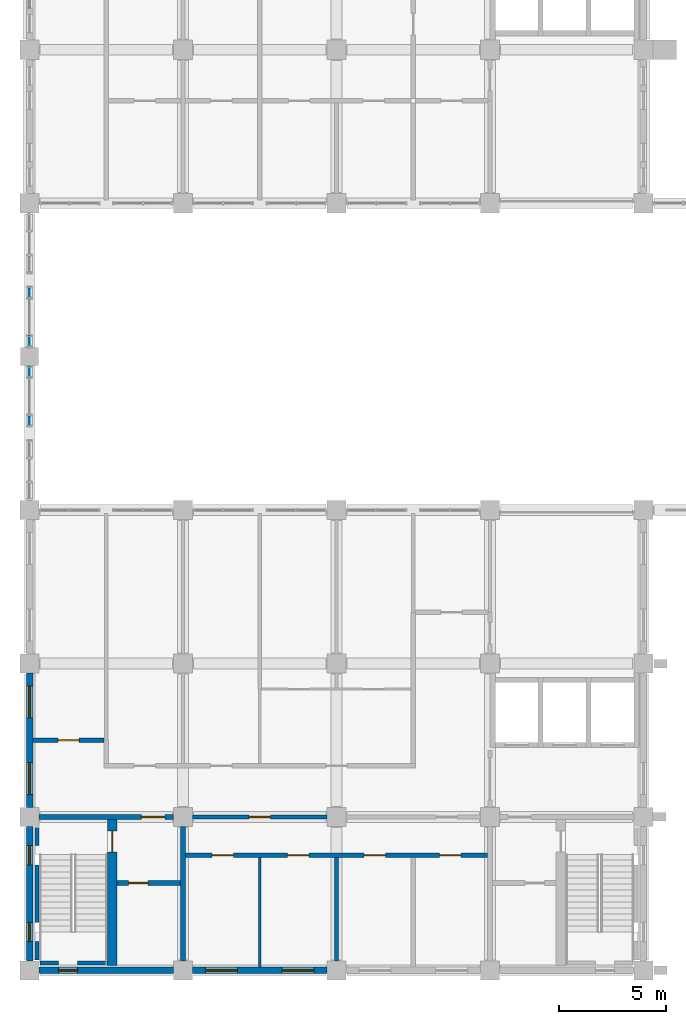
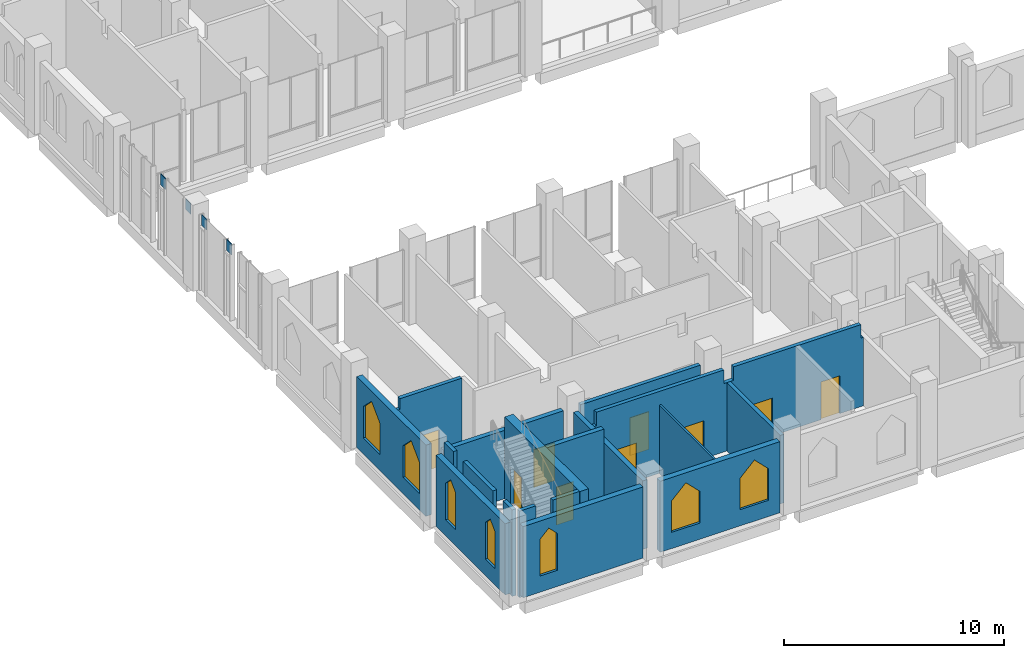
# One storey, part 27 of 40: 18 walls, 9 doors, 7 windows, 4 plates, 16 openings, 2 elements without a shape of their own.
"""IFC4 building model written with IfcOpenShell, lengths in metres."""

from ifc_helpers import new_model, si_unit, direction, frame, frame_2d, origin, origin_2d, place, context, subcontext, project, spatial, polyline, rectangle, outline, extrude, material, layer, layer_set, type_object, element, fill, aggregate, save


model = new_model("IFC4")

# Units and contexts
model_context = context("Model", 3, precision=1e-05, world=origin(), true_north=direction((0.0, 1.0)))
body_context = subcontext(model_context, "Body", "Model", "MODEL_VIEW")
ifc_project = project(units=[si_unit("LENGTHUNIT", "METRE"), si_unit("AREAUNIT", "SQUARE_METRE"), si_unit("VOLUMEUNIT", "CUBIC_METRE"), si_unit("PLANEANGLEUNIT", "RADIAN"), si_unit("MASSUNIT", "GRAM", prefix="KILO")], contexts=[model_context])

# Site, building, storey
site_placement = place(None, origin())
site = spatial("IfcSite", under=ifc_project, at=site_placement, CompositionType="ELEMENT")
building_placement = place(site_placement, origin())
building = spatial("IfcBuilding", under=site, at=building_placement, Name="Silangan Lancet Faculty of Sciences", CompositionType="ELEMENT")
storey_placement = place(building_placement, frame((0.0, 0.0, 16.800048828125)))
storey = spatial("IfcBuildingStorey", under=building, at=storey_placement, Name="L03", CompositionType="ELEMENT", Elevation=16.800048828125)

# Curtain wall, plates
ifc_material_1 = material(Name="Aluminium framed curtain wall with insulated glass", Category="aluminium")
curtain_wall_type = type_object("IfcCurtainWallType", Name="CW6 West window middle bays", PredefinedType="NOTDEFINED", material=ifc_material_1)
curtain_wall_1_placement = place(storey_placement, origin())
curtain_wall_1 = element("IfcCurtainWall", 1, at=curtain_wall_1_placement, inside=storey, type_object=curtain_wall_type, Name="CW6 West window L03 bay 2", PredefinedType="NOTDEFINED")
ifc_material_2 = material(Name="Insulated glass unit 8+16+8 low-emissivity", Category="glass")
ifc_layer_1 = layer(ifc_material_2, 0.031982421875)
ifc_layer_set_1 = layer_set([ifc_layer_1], Name="Insulated glass unit 8+16+8 low-emissivity")
plate_type = type_object("IfcPlateType", Name="CP1 Panel vision glass 32", PredefinedType="CURTAIN_PANEL", material=ifc_layer_set_1)
plate_1_placement = place(storey_placement, frame((0.0, 25.800048828125, 3.599853515625), z_axis=(0.0, 0.0, 1.0), x_axis=(0.0, 1.0, 0.0)))
plate_1 = element("IfcPlate", 2, at=plate_1_placement, type_object=plate_type, Name="CW6 West window L03 bay 2 panel 3", PredefinedType="CURTAIN_PANEL", context=body_context, shape_type="SweptSolid", body=[
    extrude(rectangle(XDim=0.449951171875, YDim=0.031982421875, at=origin_2d()), origin(), (0.0, 0.0, 1.0), 0.60009765625),
])
plate_2_placement = place(storey_placement, frame((0.0, 28.074951171875, 3.599853515625), z_axis=(0.0, 0.0, 1.0), x_axis=(0.0, 1.0, 0.0)))
plate_2 = element("IfcPlate", 3, at=plate_2_placement, type_object=plate_type, Name="CW6 West window L03 bay 2 panel 4", PredefinedType="CURTAIN_PANEL", context=body_context, shape_type="SweptSolid", body=[
    extrude(rectangle(XDim=0.449951171875, YDim=0.031982421875, at=origin_2d()), origin(), (0.0, 0.0, 1.0), 0.60009765625),
])
aggregate(curtain_wall_1, [plate_1, plate_2])

curtain_wall_2_placement = place(storey_placement, origin())
curtain_wall_2 = element("IfcCurtainWall", 4, at=curtain_wall_2_placement, inside=storey, type_object=curtain_wall_type, Name="CW6 West window L03 bay 3", PredefinedType="NOTDEFINED")
plate_3_placement = place(storey_placement, frame((0.0, 29.52490234375, 3.599853515625), z_axis=(0.0, 0.0, 1.0), x_axis=(0.0, 1.0, 0.0)))
plate_3 = element("IfcPlate", 5, at=plate_3_placement, type_object=plate_type, Name="CW6 West window L03 bay 3 panel 3", PredefinedType="CURTAIN_PANEL", context=body_context, shape_type="SweptSolid", body=[
    extrude(rectangle(XDim=0.449951171875, YDim=0.031982421875, at=origin_2d()), origin(), (0.0, 0.0, 1.0), 0.60009765625),
])
plate_4_placement = place(storey_placement, frame((0.0, 31.7998046875, 3.599853515625), z_axis=(0.0, 0.0, 1.0), x_axis=(0.0, 1.0, 0.0)))
plate_4 = element("IfcPlate", 6, at=plate_4_placement, type_object=plate_type, Name="CW6 West window L03 bay 3 panel 4", PredefinedType="CURTAIN_PANEL", context=body_context, shape_type="SweptSolid", body=[
    extrude(rectangle(XDim=0.449951171875, YDim=0.031982421875, at=origin_2d()), origin(), (0.0, 0.0, 1.0), 0.60009765625),
])
aggregate(curtain_wall_2, [plate_3, plate_4])

# Wall, openings, windows
ifc_material_3 = material(Name="Concrete C40/50 precast", Category="concrete")
ifc_layer_2 = layer(ifc_material_3, 0.300048828125)
ifc_layer_set_2 = layer_set([ifc_layer_2], Name="Concrete C40/50 precast")
wall_type_1 = type_object("IfcWallType", Name="EW1 Precast cladding wall", PredefinedType="STANDARD", material=ifc_layer_set_2)
wall_1_placement = place(storey_placement, frame((0.0, 7.64990234375, 0.0), z_axis=(0.0, 0.0, 1.0), x_axis=(0.0, 1.0, 0.0)))
wall_1 = element("IfcWall", 7, at=wall_1_placement, inside=storey, type_object=wall_type_1, Name="EW-L03-W-ST-01", PredefinedType="STANDARD", context=body_context, shape_type="SweptSolid", body=[
    extrude(rectangle(XDim=6.300048828125, YDim=0.300048828125, at=frame_2d((3.14990234375, 0.0))), origin(), (0.0, 0.0, 1.0), 3.949951171875),
])
opening_1_placement = place(wall_1_placement, frame((0.60009765625, 0.0, 0.89990234375)))
opening_1 = element("IfcOpeningElement", 8, at=opening_1_placement, cuts=wall_1, Name="Opening W12", PredefinedType="OPENING", context=body_context, shape_type="SweptSolid", body=[
    extrude(outline(polyline([(0.0, 0.0), (1.5, 0.0), (1.5, 1.75), (0.75, 2.5), (0.0, 1.75), (0.0, 0.0)])), frame((0.0, 0.159912109375, 0.0), z_axis=(0.0, -1.0, 0.0), x_axis=(1.0, 0.0, 0.0)), (0.0, 0.0, 1.0), 0.320068359375),
])
opening_2_placement = place(wall_1_placement, frame((4.199951171875, 0.0, 0.89990234375)))
opening_2 = element("IfcOpeningElement", 9, at=opening_2_placement, cuts=wall_1, Name="Opening W12", PredefinedType="OPENING", context=body_context, shape_type="SweptSolid", body=[
    extrude(outline(polyline([(0.0, 0.0), (1.5, 0.0), (1.5, 1.75), (0.75, 2.5), (0.0, 1.75), (0.0, 0.0)])), frame((0.0, 0.159912109375, 0.0), z_axis=(0.0, -1.0, 0.0), x_axis=(1.0, 0.0, 0.0)), (0.0, 0.0, 1.0), 0.320068359375),
])
ifc_material_4 = material(Name="Aluminium frame, laminated double glazing", Category="aluminium")
window_type_1 = type_object("IfcWindowType", Name="W12 Lancet window 1500 x 2500", PartitioningType="SINGLE_PANEL", PredefinedType="WINDOW", material=ifc_material_4)
window_1_placement = place(opening_1_placement, origin())
window_1 = element("IfcWindow", 10, at=window_1_placement, inside=storey, type_object=window_type_1, Name="WIN-L03-W-ST-01a", OverallHeight=2.5, OverallWidth=1.5, PartitioningType="SINGLE_PANEL", PredefinedType="WINDOW", context=body_context, shape_type="SweptSolid", body=[
    extrude(outline(polyline([(0.0, 0.0), (1.5, 0.0), (1.5, 1.75), (0.75, 2.5), (0.0, 1.75), (0.0, 0.0)])), frame((0.0, 0.030029296875, 0.0), z_axis=(0.0, -1.0, 0.0), x_axis=(1.0, 0.0, 0.0)), (0.0, 0.0, 1.0), 0.06005859375),
])
fill(opening_1, window_1)
window_2_placement = place(opening_2_placement, origin())
window_2 = element("IfcWindow", 11, at=window_2_placement, inside=storey, type_object=window_type_1, Name="WIN-L03-W-ST-01b", OverallHeight=2.5, OverallWidth=1.5, PartitioningType="SINGLE_PANEL", PredefinedType="WINDOW", context=body_context, shape_type="SweptSolid", body=[
    extrude(outline(polyline([(0.0, 0.0), (1.5, 0.0), (1.5, 1.75), (0.75, 2.5), (0.0, 1.75), (0.0, 0.0)])), frame((0.0, 0.030029296875, 0.0), z_axis=(0.0, -1.0, 0.0), x_axis=(1.0, 0.0, 0.0)), (0.0, 0.0, 1.0), 0.06005859375),
])
fill(opening_2, window_2)

wall_2_placement = place(storey_placement, frame((7.64990234375, 0.0, 0.0), z_axis=(0.0, 0.0, 1.0), x_axis=(1.0, 0.0, 0.0)))
wall_2 = element("IfcWall", 12, at=wall_2_placement, inside=storey, type_object=wall_type_1, Name="EW-L03-S-ST-01", PredefinedType="STANDARD", context=body_context, shape_type="SweptSolid", body=[
    extrude(rectangle(XDim=6.300048828125, YDim=0.300048828125, at=frame_2d((3.14990234375, 0.0))), origin(), (0.0, 0.0, 1.0), 3.949951171875),
])
opening_3_placement = place(wall_2_placement, frame((0.60009765625, 0.0, 0.89990234375)))
opening_3 = element("IfcOpeningElement", 13, at=opening_3_placement, cuts=wall_2, Name="Opening W12", PredefinedType="OPENING", context=body_context, shape_type="SweptSolid", body=[
    extrude(outline(polyline([(0.0, 0.0), (1.5, 0.0), (1.5, 1.75), (0.75, 2.5), (0.0, 1.75), (0.0, 0.0)])), frame((0.0, 0.159912109375, 0.0), z_axis=(0.0, -1.0, 0.0), x_axis=(1.0, 0.0, 0.0)), (0.0, 0.0, 1.0), 0.320068359375),
])
opening_4_placement = place(wall_2_placement, frame((4.199951171875, 0.0, 0.89990234375)))
opening_4 = element("IfcOpeningElement", 14, at=opening_4_placement, cuts=wall_2, Name="Opening W12", PredefinedType="OPENING", context=body_context, shape_type="SweptSolid", body=[
    extrude(outline(polyline([(0.0, 0.0), (1.5, 0.0), (1.5, 1.75), (0.75, 2.5), (0.0, 1.75), (0.0, 0.0)])), frame((0.0, 0.159912109375, 0.0), z_axis=(0.0, -1.0, 0.0), x_axis=(1.0, 0.0, 0.0)), (0.0, 0.0, 1.0), 0.320068359375),
])
window_3_placement = place(opening_3_placement, origin())
window_3 = element("IfcWindow", 15, at=window_3_placement, inside=storey, type_object=window_type_1, Name="WIN-L03-S-ST-01a", OverallHeight=2.5, OverallWidth=1.5, PartitioningType="SINGLE_PANEL", PredefinedType="WINDOW", context=body_context, shape_type="SweptSolid", body=[
    extrude(outline(polyline([(0.0, 0.0), (1.5, 0.0), (1.5, 1.75), (0.75, 2.5), (0.0, 1.75), (0.0, 0.0)])), frame((0.0, 0.030029296875, 0.0), z_axis=(0.0, -1.0, 0.0), x_axis=(1.0, 0.0, 0.0)), (0.0, 0.0, 1.0), 0.06005859375),
])
fill(opening_3, window_3)
window_4_placement = place(opening_4_placement, origin())
window_4 = element("IfcWindow", 16, at=window_4_placement, inside=storey, type_object=window_type_1, Name="WIN-L03-S-ST-01b", OverallHeight=2.5, OverallWidth=1.5, PartitioningType="SINGLE_PANEL", PredefinedType="WINDOW", context=body_context, shape_type="SweptSolid", body=[
    extrude(outline(polyline([(0.0, 0.0), (1.5, 0.0), (1.5, 1.75), (0.75, 2.5), (0.0, 1.75), (0.0, 0.0)])), frame((0.0, 0.030029296875, 0.0), z_axis=(0.0, -1.0, 0.0), x_axis=(1.0, 0.0, 0.0)), (0.0, 0.0, 1.0), 0.06005859375),
])
fill(opening_4, window_4)

ifc_material_5 = material(Name="Concrete C40/50 precast", Category="concrete")
ifc_layer_3 = layer(ifc_material_5, 0.300048828125)
ifc_layer_set_3 = layer_set([ifc_layer_3], Name="Concrete C40/50 precast")
wall_type_2 = type_object("IfcWallType", Name="EW2 Turret enclosure wall", PredefinedType="STANDARD", material=ifc_layer_set_3)
wall_3_placement = place(storey_placement, frame((0.0, 0.449951171875, 0.0), z_axis=(0.0, 0.0, 1.0), x_axis=(0.0, 1.0, 0.0)))
wall_3 = element("IfcWall", 17, at=wall_3_placement, inside=storey, type_object=wall_type_2, Name="EW-L03-W-ST-00", PredefinedType="STANDARD", context=body_context, shape_type="SweptSolid", body=[
    extrude(rectangle(XDim=6.300048828125, YDim=0.300048828125, at=frame_2d((3.14990234375, 0.0))), origin(), (0.0, 0.0, 1.0), 3.949951171875),
])
opening_5_placement = place(wall_3_placement, frame((0.89990234375, 0.0, 0.89990234375)))
opening_5 = element("IfcOpeningElement", 18, at=opening_5_placement, cuts=wall_3, Name="Opening W11", PredefinedType="OPENING", context=body_context, shape_type="SweptSolid", body=[
    extrude(outline(polyline([(0.0, 0.0), (0.89990234375, 0.0), (0.89990234375, 2.050048828125), (0.449951171875, 2.5), (0.0, 2.050048828125), (0.0, 0.0)])), frame((0.0, 0.159912109375, 0.0), z_axis=(0.0, -1.0, 0.0), x_axis=(1.0, 0.0, 0.0)), (0.0, 0.0, 1.0), 0.320068359375),
])
opening_6_placement = place(wall_3_placement, frame((4.5, 0.0, 0.89990234375)))
opening_6 = element("IfcOpeningElement", 19, at=opening_6_placement, cuts=wall_3, Name="Opening W11", PredefinedType="OPENING", context=body_context, shape_type="SweptSolid", body=[
    extrude(outline(polyline([(0.0, 0.0), (0.89990234375, 0.0), (0.89990234375, 2.050048828125), (0.449951171875, 2.5), (0.0, 2.050048828125), (0.0, 0.0)])), frame((0.0, 0.159912109375, 0.0), z_axis=(0.0, -1.0, 0.0), x_axis=(1.0, 0.0, 0.0)), (0.0, 0.0, 1.0), 0.320068359375),
])
ifc_material_6 = material(Name="Aluminium frame, laminated double glazing", Category="aluminium")
window_type_2 = type_object("IfcWindowType", Name="W11 Lancet window 900 x 2500", PartitioningType="SINGLE_PANEL", PredefinedType="WINDOW", material=ifc_material_6)
window_5_placement = place(opening_5_placement, origin())
window_5 = element("IfcWindow", 20, at=window_5_placement, inside=storey, type_object=window_type_2, Name="WIN-L03-W-ST-00a", OverallHeight=2.5, OverallWidth=0.89990234375, PartitioningType="SINGLE_PANEL", PredefinedType="WINDOW", context=body_context, shape_type="SweptSolid", body=[
    extrude(outline(polyline([(0.0, 0.0), (0.89990234375, 0.0), (0.89990234375, 2.050048828125), (0.449951171875, 2.5), (0.0, 2.050048828125), (0.0, 0.0)])), frame((0.0, 0.030029296875, 0.0), z_axis=(0.0, -1.0, 0.0), x_axis=(1.0, 0.0, 0.0)), (0.0, 0.0, 1.0), 0.06005859375),
])
fill(opening_5, window_5)
window_6_placement = place(opening_6_placement, origin())
window_6 = element("IfcWindow", 21, at=window_6_placement, inside=storey, type_object=window_type_2, Name="WIN-L03-W-ST-00b", OverallHeight=2.5, OverallWidth=0.89990234375, PartitioningType="SINGLE_PANEL", PredefinedType="WINDOW", context=body_context, shape_type="SweptSolid", body=[
    extrude(outline(polyline([(0.0, 0.0), (0.89990234375, 0.0), (0.89990234375, 2.050048828125), (0.449951171875, 2.5), (0.0, 2.050048828125), (0.0, 0.0)])), frame((0.0, 0.030029296875, 0.0), z_axis=(0.0, -1.0, 0.0), x_axis=(1.0, 0.0, 0.0)), (0.0, 0.0, 1.0), 0.06005859375),
])
fill(opening_6, window_6)

# Wall, opening, window
wall_4_placement = place(storey_placement, frame((0.449951171875, 0.0, 0.0), z_axis=(0.0, 0.0, 1.0), x_axis=(1.0, 0.0, 0.0)))
wall_4 = element("IfcWall", 22, at=wall_4_placement, inside=storey, type_object=wall_type_2, Name="EW-L03-S-ST-00", PredefinedType="STANDARD", context=body_context, shape_type="SweptSolid", body=[
    extrude(rectangle(XDim=6.300048828125, YDim=0.300048828125, at=frame_2d((3.14990234375, 0.0))), origin(), (0.0, 0.0, 1.0), 3.949951171875),
])
opening_7_placement = place(wall_4_placement, frame((0.89990234375, 0.0, 0.89990234375)))
opening_7 = element("IfcOpeningElement", 23, at=opening_7_placement, cuts=wall_4, Name="Opening W11", PredefinedType="OPENING", context=body_context, shape_type="SweptSolid", body=[
    extrude(outline(polyline([(0.0, 0.0), (0.89990234375, 0.0), (0.89990234375, 2.050048828125), (0.449951171875, 2.5), (0.0, 2.050048828125), (0.0, 0.0)])), frame((0.0, 0.159912109375, 0.0), z_axis=(0.0, -1.0, 0.0), x_axis=(1.0, 0.0, 0.0)), (0.0, 0.0, 1.0), 0.320068359375),
])
window_7_placement = place(opening_7_placement, origin())
window_7 = element("IfcWindow", 24, at=window_7_placement, inside=storey, type_object=window_type_2, Name="WIN-L03-S-ST-00a", OverallHeight=2.5, OverallWidth=0.89990234375, PartitioningType="SINGLE_PANEL", PredefinedType="WINDOW", context=body_context, shape_type="SweptSolid", body=[
    extrude(outline(polyline([(0.0, 0.0), (0.89990234375, 0.0), (0.89990234375, 2.050048828125), (0.449951171875, 2.5), (0.0, 2.050048828125), (0.0, 0.0)])), frame((0.0, 0.030029296875, 0.0), z_axis=(0.0, -1.0, 0.0), x_axis=(1.0, 0.0, 0.0)), (0.0, 0.0, 1.0), 0.06005859375),
])
fill(opening_7, window_7)

# Wall, openings, doors
ifc_material_7 = material(Name="Hollow block masonry fm 7 MPa", Category="masonry")
ifc_layer_4 = layer(ifc_material_7, 0.199951171875)
ifc_layer_set_4 = layer_set([ifc_layer_4], Name="Hollow block masonry fm 7 MPa")
wall_type_3 = type_object("IfcWallType", Name="Interior wall PW1 Corridor wall CHB 200", PredefinedType="PARTITIONING", material=ifc_layer_set_4)
wall_5_placement = place(storey_placement, frame((7.324951171875, 5.39990234375, 0.0), z_axis=(0.0, 0.0, 1.0), x_axis=(1.0, 0.0, 0.0)))
wall_5 = element("IfcWall", 25, at=wall_5_placement, inside=storey, type_object=wall_type_3, Name="Corridor wall CHB 200", PredefinedType="PARTITIONING", context=body_context, shape_type="SweptSolid", body=[
    extrude(outline(polyline([(0.0, 0.0), (14.150146484375, 0.0), (14.150146484375, 3.800048828125), (14.02490234375, 3.800048828125), (14.02490234375, 4.550048828125), (7.324951171875, 4.550048828125), (7.324951171875, 3.800048828125), (6.824951171875, 3.800048828125), (6.824951171875, 4.550048828125), (0.125, 4.550048828125), (0.125, 3.800048828125), (0.0, 3.800048828125), (0.0, 0.0)])), frame((0.0, 0.10009765625, 0.0), z_axis=(0.0, -1.0, 0.0), x_axis=(1.0, 0.0, 0.0)), (0.0, 0.0, 1.0), 0.199951171875),
])
opening_8_placement = place(wall_5_placement, frame((1.237548828125, 0.0, 0.0)))
opening_8 = element("IfcOpeningElement", 26, at=opening_8_placement, cuts=wall_5, Name="Opening L03-009", PredefinedType="OPENING", context=body_context, shape_type="SweptSolid", body=[
    extrude(rectangle(XDim=1.0, YDim=2.10009765625, at=frame_2d((0.5, 1.050048828125))), frame((0.0, 0.10986328125, 0.0), z_axis=(0.0, -1.0, 0.0), x_axis=(1.0, 0.0, 0.0)), (0.0, 0.0, 1.0), 0.219970703125),
])
opening_9_placement = place(wall_5_placement, frame((4.77490234375, 0.0, 0.0)))
opening_9 = element("IfcOpeningElement", 27, at=opening_9_placement, cuts=wall_5, Name="Opening L03-010", PredefinedType="OPENING", context=body_context, shape_type="SweptSolid", body=[
    extrude(rectangle(XDim=1.0, YDim=2.10009765625, at=frame_2d((0.5, 1.050048828125))), frame((0.0, 0.10986328125, 0.0), z_axis=(0.0, -1.0, 0.0), x_axis=(1.0, 0.0, 0.0)), (0.0, 0.0, 1.0), 0.219970703125),
])
opening_10_placement = place(wall_5_placement, frame((8.375, 0.0, 0.0)))
opening_10 = element("IfcOpeningElement", 28, at=opening_10_placement, cuts=wall_5, Name="Opening L03-011", PredefinedType="OPENING", context=body_context, shape_type="SweptSolid", body=[
    extrude(rectangle(XDim=1.0, YDim=2.10009765625, at=frame_2d((0.5, 1.050048828125))), frame((0.0, 0.10986328125, 0.0), z_axis=(0.0, -1.0, 0.0), x_axis=(1.0, 0.0, 0.0)), (0.0, 0.0, 1.0), 0.219970703125),
])
opening_11_placement = place(wall_5_placement, frame((11.91259765625, 0.0, 0.0)))
opening_11 = element("IfcOpeningElement", 29, at=opening_11_placement, cuts=wall_5, Name="Opening L03-012", PredefinedType="OPENING", context=body_context, shape_type="SweptSolid", body=[
    extrude(rectangle(XDim=1.0, YDim=2.10009765625, at=frame_2d((0.5, 1.050048828125))), frame((0.0, 0.10986328125, 0.0), z_axis=(0.0, -1.0, 0.0), x_axis=(1.0, 0.0, 0.0)), (0.0, 0.0, 1.0), 0.219970703125),
])
ifc_material_8 = material(Name="Steel fire door set", Category="steel")
door_type_1 = type_object("IfcDoorType", Name="Door D1 Single leaf fire door 1000 x 2100", OperationType="SINGLE_SWING_LEFT", PredefinedType="DOOR", material=ifc_material_8)
door_1_placement = place(opening_8_placement, frame((1.0, 0.0, 0.0), z_axis=(0.0, 0.0, 1.0), x_axis=(-1.0, 0.0, 0.0)))
door_1 = element("IfcDoor", 30, at=door_1_placement, inside=storey, type_object=door_type_1, Name="Single leaf fire door 1000 x 2100", OperationType="SINGLE_SWING_LEFT", OverallHeight=2.10009765625, OverallWidth=1.0, PredefinedType="DOOR", context=body_context, shape_type="SweptSolid", body=[
    extrude(rectangle(XDim=1.0, YDim=2.10009765625, at=frame_2d((0.5, 1.050048828125))), frame((0.0, 0.025146484375, 0.0), z_axis=(0.0, -1.0, 0.0), x_axis=(1.0, 0.0, 0.0)), (0.0, 0.0, 1.0), 0.050048828125),
])
fill(opening_8, door_1)
door_2_placement = place(opening_9_placement, frame((1.0, 0.0, 0.0), z_axis=(0.0, 0.0, 1.0), x_axis=(-1.0, 0.0, 0.0)))
door_2 = element("IfcDoor", 31, at=door_2_placement, inside=storey, type_object=door_type_1, Name="Single leaf fire door 1000 x 2100", OperationType="SINGLE_SWING_RIGHT", OverallHeight=2.10009765625, OverallWidth=1.0, PredefinedType="DOOR", context=body_context, shape_type="SweptSolid", body=[
    extrude(rectangle(XDim=1.0, YDim=2.10009765625, at=frame_2d((0.5, 1.050048828125))), frame((0.0, 0.025146484375, 0.0), z_axis=(0.0, -1.0, 0.0), x_axis=(1.0, 0.0, 0.0)), (0.0, 0.0, 1.0), 0.050048828125),
])
fill(opening_9, door_2)
door_3_placement = place(opening_10_placement, frame((1.0, 0.0, 0.0), z_axis=(0.0, 0.0, 1.0), x_axis=(-1.0, 0.0, 0.0)))
door_3 = element("IfcDoor", 32, at=door_3_placement, inside=storey, type_object=door_type_1, Name="Single leaf fire door 1000 x 2100", OperationType="SINGLE_SWING_LEFT", OverallHeight=2.10009765625, OverallWidth=1.0, PredefinedType="DOOR", context=body_context, shape_type="SweptSolid", body=[
    extrude(rectangle(XDim=1.0, YDim=2.10009765625, at=frame_2d((0.5, 1.050048828125))), frame((0.0, 0.025146484375, 0.0), z_axis=(0.0, -1.0, 0.0), x_axis=(1.0, 0.0, 0.0)), (0.0, 0.0, 1.0), 0.050048828125),
])
fill(opening_10, door_3)
door_4_placement = place(opening_11_placement, frame((1.0, 0.0, 0.0), z_axis=(0.0, 0.0, 1.0), x_axis=(-1.0, 0.0, 0.0)))
door_4 = element("IfcDoor", 33, at=door_4_placement, inside=storey, type_object=door_type_1, Name="Single leaf fire door 1000 x 2100", OperationType="SINGLE_SWING_RIGHT", OverallHeight=2.10009765625, OverallWidth=1.0, PredefinedType="DOOR", context=body_context, shape_type="SweptSolid", body=[
    extrude(rectangle(XDim=1.0, YDim=2.10009765625, at=frame_2d((0.5, 1.050048828125))), frame((0.0, 0.025146484375, 0.0), z_axis=(0.0, -1.0, 0.0), x_axis=(1.0, 0.0, 0.0)), (0.0, 0.0, 1.0), 0.050048828125),
])
fill(opening_11, door_4)

# Wall, opening, door
wall_6_placement = place(storey_placement, frame((7.64990234375, 7.199951171875, 0.0), z_axis=(0.0, 0.0, 1.0), x_axis=(1.0, 0.0, 0.0)))
wall_6 = element("IfcWall", 34, at=wall_6_placement, inside=storey, type_object=wall_type_3, Name="Corridor wall CHB 200", PredefinedType="PARTITIONING", context=body_context, shape_type="SweptSolid", body=[
    extrude(rectangle(XDim=6.300048828125, YDim=0.199951171875, at=frame_2d((3.14990234375, 0.0))), origin(), (0.0, 0.0, 1.0), 3.800048828125),
])
opening_12_placement = place(wall_6_placement, frame((2.64990234375, 0.0, 0.0)))
opening_12 = element("IfcOpeningElement", 35, at=opening_12_placement, cuts=wall_6, Name="Opening L03-002", PredefinedType="OPENING", context=body_context, shape_type="SweptSolid", body=[
    extrude(rectangle(XDim=1.0, YDim=2.10009765625, at=frame_2d((0.5, 1.050048828125))), frame((0.0, 0.10986328125, 0.0), z_axis=(0.0, -1.0, 0.0), x_axis=(1.0, 0.0, 0.0)), (0.0, 0.0, 1.0), 0.219970703125),
])
door_5_placement = place(opening_12_placement, frame((1.0, 0.0, 0.0), z_axis=(0.0, 0.0, 1.0), x_axis=(-1.0, 0.0, 0.0)))
door_5 = element("IfcDoor", 36, at=door_5_placement, inside=storey, type_object=door_type_1, Name="Single leaf fire door 1000 x 2100", OperationType="SINGLE_SWING_RIGHT", OverallHeight=2.10009765625, OverallWidth=1.0, PredefinedType="DOOR", context=body_context, shape_type="SweptSolid", body=[
    extrude(rectangle(XDim=1.0, YDim=2.10009765625, at=frame_2d((0.5, 1.050048828125))), frame((0.0, 0.025146484375, 0.0), z_axis=(0.0, -1.0, 0.0), x_axis=(1.0, 0.0, 0.0)), (0.0, 0.0, 1.0), 0.050048828125),
])
fill(opening_12, door_5)

wall_7_placement = place(storey_placement, frame((0.14990234375, 10.800048828125, 0.0), z_axis=(0.0, 0.0, 1.0), x_axis=(1.0, 0.0, 0.0)))
wall_7 = element("IfcWall", 37, at=wall_7_placement, inside=storey, type_object=wall_type_3, Name="Corridor wall CHB 200", PredefinedType="PARTITIONING", context=body_context, shape_type="SweptSolid", body=[
    extrude(outline(polyline([(0.0, 0.0), (3.35009765625, 0.0), (3.35009765625, 4.550048828125), (0.10009765625, 4.550048828125), (0.10009765625, 3.949951171875), (0.0, 3.949951171875), (0.0, 0.0)])), frame((0.0, 0.10009765625, 0.0), z_axis=(0.0, -1.0, 0.0), x_axis=(1.0, 0.0, 0.0)), (0.0, 0.0, 1.0), 0.199951171875),
])
opening_13_placement = place(wall_7_placement, frame((1.175048828125, 0.0, 0.0)))
opening_13 = element("IfcOpeningElement", 38, at=opening_13_placement, cuts=wall_7, Name="Opening L03-015", PredefinedType="OPENING", context=body_context, shape_type="SweptSolid", body=[
    extrude(rectangle(XDim=1.0, YDim=2.10009765625, at=frame_2d((0.5, 1.050048828125))), frame((0.0, 0.10986328125, 0.0), z_axis=(0.0, -1.0, 0.0), x_axis=(1.0, 0.0, 0.0)), (0.0, 0.0, 1.0), 0.219970703125),
])
door_6_placement = place(opening_13_placement, origin())
door_6 = element("IfcDoor", 39, at=door_6_placement, inside=storey, type_object=door_type_1, Name="Single leaf fire door 1000 x 2100", OperationType="SINGLE_SWING_RIGHT", OverallHeight=2.10009765625, OverallWidth=1.0, PredefinedType="DOOR", context=body_context, shape_type="SweptSolid", body=[
    extrude(rectangle(XDim=1.0, YDim=2.10009765625, at=frame_2d((0.5, 1.050048828125))), frame((0.0, 0.02490234375, 0.0), z_axis=(0.0, -1.0, 0.0), x_axis=(1.0, 0.0, 0.0)), (0.0, 0.0, 1.0), 0.050048828125),
])
fill(opening_13, door_6)

# Walls
ifc_material_9 = material(Name="Hollow block masonry fm 7 MPa", Category="masonry")
ifc_layer_5 = layer(ifc_material_9, 0.199951171875)
ifc_layer_set_5 = layer_set([ifc_layer_5], Name="Hollow block masonry fm 7 MPa")
wall_type_4 = type_object("IfcWallType", Name="Interior wall PW4 Laboratory separation CHB 200", PredefinedType="PARTITIONING", material=ifc_layer_set_5)
wall_8_placement = place(storey_placement, frame((14.39990234375, 0.449951171875, 0.0), z_axis=(0.0, 0.0, 1.0), x_axis=(0.0, 1.0, 0.0)))
element("IfcWall", 40, at=wall_8_placement, inside=storey, type_object=wall_type_4, Name="Laboratory separation CHB 200", PredefinedType="PARTITIONING", context=body_context, shape_type="SweptSolid", body=[
    extrude(rectangle(XDim=4.85009765625, YDim=0.199951171875, at=frame_2d((2.425048828125, 0.0))), origin(), (0.0, 0.0, 1.0), 3.800048828125),
])
ifc_material_10 = material(Name="Hollow block masonry fm 7 MPa", Category="masonry")
ifc_layer_6 = layer(ifc_material_10, 0.10009765625)
ifc_layer_set_6 = layer_set([ifc_layer_6], Name="Hollow block masonry fm 7 MPa")
wall_type_5 = type_object("IfcWallType", Name="Interior wall PW8 WC partition CHB 100", PredefinedType="PARTITIONING", material=ifc_layer_set_6)
wall_9_placement = place(storey_placement, frame((10.800048828125, 0.14990234375, 0.0), z_axis=(0.0, 0.0, 1.0), x_axis=(0.0, 1.0, 0.0)))
element("IfcWall", 41, at=wall_9_placement, inside=storey, type_object=wall_type_5, Name="WC partition CHB 100", PredefinedType="PARTITIONING", context=body_context, shape_type="SweptSolid", body=[
    extrude(rectangle(XDim=5.150146484375, YDim=0.10009765625, at=frame_2d((2.5751953125, 0.0))), origin(), (0.0, 0.0, 1.0), 3.800048828125),
])

# Wall, opening, door
ifc_material_11 = material(Name="Concrete C40/50", Category="concrete")
ifc_layer_7 = layer(ifc_material_11, 0.449951171875)
ifc_layer_set_7 = layer_set([ifc_layer_7], Name="Concrete C40/50")
wall_type_6 = type_object("IfcWallType", Name="TURRET CORE WALL RC 450", PredefinedType="SHEAR", material=ifc_layer_set_7)
wall_10_placement = place(storey_placement, frame((3.875, 0.22509765625, 0.0), z_axis=(0.0, 0.0, 1.0), x_axis=(0.0, 1.0, 0.0)))
wall_10 = element("IfcWall", 42, at=wall_10_placement, inside=storey, type_object=wall_type_6, Name="WALL-L03-ST-A-WELL", PredefinedType="SHEAR", context=body_context, shape_type="SweptSolid", body=[
    extrude(rectangle(XDim=6.849853515625, YDim=0.449951171875, at=frame_2d((3.4248046875, 0.0))), origin(), (0.0, 0.0, 1.0), 4.550048828125),
])
opening_14_placement = place(wall_10_placement, frame((5.324951171875, 0.0, 0.0)))
opening_14 = element("IfcOpeningElement", 43, at=opening_14_placement, cuts=wall_10, Name="Opening L03-713", PredefinedType="OPENING", context=body_context, shape_type="SweptSolid", body=[
    extrude(rectangle(XDim=1.0, YDim=2.10009765625, at=frame_2d((0.5, 1.050048828125))), frame((0.0, 0.23486328125, 0.0), z_axis=(0.0, -1.0, 0.0), x_axis=(1.0, 0.0, 0.0)), (0.0, 0.0, 1.0), 0.469970703125),
])
ifc_material_12 = material(Name="Steel fire door set", Category="steel")
door_type_2 = type_object("IfcDoorType", Name="D71 Stair enclosure door 1000x2100", OperationType="SINGLE_SWING_LEFT", PredefinedType="DOOR", material=ifc_material_12)
door_7_placement = place(opening_14_placement, origin())
door_7 = element("IfcDoor", 44, at=door_7_placement, inside=storey, type_object=door_type_2, Name="Stair enclosure door ST-A L03", OperationType="SINGLE_SWING_RIGHT", OverallHeight=2.10009765625, OverallWidth=1.0, PredefinedType="DOOR", context=body_context, shape_type="SweptSolid", body=[
    extrude(rectangle(XDim=1.0, YDim=2.10009765625, at=frame_2d((0.5, 1.050048828125))), frame((0.0, 0.02490234375, 0.0), z_axis=(0.0, -1.0, 0.0), x_axis=(1.0, 0.0, 0.0)), (0.0, 0.0, 1.0), 0.050048828125),
])
fill(opening_14, door_7)

# Walls
ifc_material_13 = material(Name="Concrete C40/50", Category="concrete")
ifc_layer_8 = layer(ifc_material_13, 0.199951171875)
ifc_layer_set_8 = layer_set([ifc_layer_8], Name="Concrete C40/50")
wall_type_7 = type_object("IfcWallType", Name="TURRET LINING WALL RC 200", PredefinedType="SHEAR", material=ifc_layer_set_8)
wall_11_placement = place(storey_placement, frame((0.35009765625, 0.5, -0.25), z_axis=(0.0, 0.0, 1.0), x_axis=(0.0, 1.0, 0.0)))
element("IfcWall", 45, at=wall_11_placement, inside=storey, type_object=wall_type_7, Name="WALL-L03-ST-A-WL", PredefinedType="SHEAR", context=body_context, shape_type="SweptSolid", body=[
    extrude(rectangle(XDim=0.85009765625, YDim=0.199951171875, at=frame_2d((0.425048828125, 0.0))), origin(), (0.0, 0.0, 1.0), 4.800048828125),
])
wall_12_placement = place(storey_placement, frame((0.35009765625, 2.25, -0.25), z_axis=(0.0, 0.0, 1.0), x_axis=(0.0, 1.0, 0.0)))
element("IfcWall", 46, at=wall_12_placement, inside=storey, type_object=wall_type_7, Name="WALL-L03-ST-A-WL-2", PredefinedType="SHEAR", context=body_context, shape_type="SweptSolid", body=[
    extrude(rectangle(XDim=2.699951171875, YDim=0.199951171875, at=frame_2d((1.35009765625, 0.0))), origin(), (0.0, 0.0, 1.0), 4.800048828125),
])
wall_13_placement = place(storey_placement, frame((0.35009765625, 5.85009765625, -0.25), z_axis=(0.0, 0.0, 1.0), x_axis=(0.0, 1.0, 0.0)))
element("IfcWall", 47, at=wall_13_placement, inside=storey, type_object=wall_type_7, Name="WALL-L03-ST-A-WL-3", PredefinedType="SHEAR", context=body_context, shape_type="SweptSolid", body=[
    extrude(rectangle(XDim=0.849853515625, YDim=0.199951171875, at=frame_2d((0.4248046875, 0.0))), origin(), (0.0, 0.0, 1.0), 4.800048828125),
])
wall_14_placement = place(storey_placement, frame((0.5, 0.35009765625, -0.25), z_axis=(0.0, 0.0, 1.0), x_axis=(1.0, 0.0, 0.0)))
element("IfcWall", 48, at=wall_14_placement, inside=storey, type_object=wall_type_7, Name="WALL-L03-ST-A-WLD", PredefinedType="SHEAR", context=body_context, shape_type="SweptSolid", body=[
    extrude(rectangle(XDim=0.85009765625, YDim=0.199951171875, at=frame_2d((0.425048828125, 0.0))), origin(), (0.0, 0.0, 1.0), 4.800048828125),
])
wall_15_placement = place(storey_placement, frame((2.25, 0.35009765625, -0.25), z_axis=(0.0, 0.0, 1.0), x_axis=(1.0, 0.0, 0.0)))
element("IfcWall", 49, at=wall_15_placement, inside=storey, type_object=wall_type_7, Name="WALL-L03-ST-A-WLD-2", PredefinedType="SHEAR", context=body_context, shape_type="SweptSolid", body=[
    extrude(rectangle(XDim=1.39990234375, YDim=0.199951171875, at=frame_2d((0.699951171875, 0.0))), origin(), (0.0, 0.0, 1.0), 4.800048828125),
])

# Wall, opening, door
ifc_material_14 = material(Name="Concrete C40/50", Category="concrete")
ifc_layer_9 = layer(ifc_material_14, 0.25)
ifc_layer_set_9 = layer_set([ifc_layer_9], Name="Concrete C40/50")
wall_type_8 = type_object("IfcWallType", Name="TURRET WALL RC 250", PredefinedType="SHEAR", material=ifc_layer_set_9)
wall_16_placement = place(storey_placement, frame((0.449951171875, 7.199951171875, 0.0), z_axis=(0.0, 0.0, 1.0), x_axis=(1.0, 0.0, 0.0)))
wall_16 = element("IfcWall", 50, at=wall_16_placement, inside=storey, type_object=wall_type_8, Name="WALL-L03-ST-A-V", PredefinedType="SHEAR", context=body_context, shape_type="SweptSolid", body=[
    extrude(rectangle(XDim=6.300048828125, YDim=0.25, at=frame_2d((3.14990234375, 0.0))), origin(), (0.0, 0.0, 1.0), 3.800048828125),
])
opening_15_placement = place(wall_16_placement, frame((4.800048828125, 0.0, 0.0)))
opening_15 = element("IfcOpeningElement", 51, at=opening_15_placement, cuts=wall_16, Name="Opening L03-714", PredefinedType="OPENING", context=body_context, shape_type="SweptSolid", body=[
    extrude(rectangle(XDim=1.10009765625, YDim=2.10009765625, at=frame_2d((0.550048828125, 1.050048828125))), frame((0.0, 0.135009765625, 0.0), z_axis=(0.0, -1.0, 0.0), x_axis=(1.0, 0.0, 0.0)), (0.0, 0.0, 1.0), 0.27001953125),
])
ifc_material_15 = material(Name="Steel fire door set", Category="steel")
door_type_3 = type_object("IfcDoorType", Name="D70 Stair vestibule door 1100x2100", OperationType="SINGLE_SWING_LEFT", PredefinedType="DOOR", material=ifc_material_15)
door_8_placement = place(opening_15_placement, frame((1.10009765625, 0.0, 0.0), z_axis=(0.0, 0.0, 1.0), x_axis=(-1.0, 0.0, 0.0)))
door_8 = element("IfcDoor", 52, at=door_8_placement, inside=storey, type_object=door_type_3, Name="Stair vestibule door ST-A L03", OperationType="SINGLE_SWING_LEFT", OverallHeight=2.10009765625, OverallWidth=1.10009765625, PredefinedType="DOOR", context=body_context, shape_type="SweptSolid", body=[
    extrude(rectangle(XDim=1.10009765625, YDim=2.10009765625, at=frame_2d((0.550048828125, 1.050048828125))), frame((0.0, 0.025146484375, 0.0), z_axis=(0.0, -1.0, 0.0), x_axis=(1.0, 0.0, 0.0)), (0.0, 0.0, 1.0), 0.050048828125),
])
fill(opening_15, door_8)

# Wall
wall_17_placement = place(storey_placement, frame((7.199951171875, 0.449951171875, 0.0), z_axis=(0.0, 0.0, 1.0), x_axis=(0.0, 1.0, 0.0)))
element("IfcWall", 53, at=wall_17_placement, inside=storey, type_object=wall_type_8, Name="WALL-L03-ST-A-O", PredefinedType="SHEAR", context=body_context, shape_type="SweptSolid", body=[
    extrude(rectangle(XDim=6.300048828125, YDim=0.25, at=frame_2d((3.14990234375, 0.0))), origin(), (0.0, 0.0, 1.0), 3.800048828125),
])

# Wall, opening, door
wall_18_placement = place(storey_placement, frame((4.10009765625, 4.10009765625, 0.0), z_axis=(0.0, 0.0, 1.0), x_axis=(1.0, 0.0, 0.0)))
wall_18 = element("IfcWall", 54, at=wall_18_placement, inside=storey, type_object=wall_type_8, Name="WALL-L03-ST-A-RISER", PredefinedType="SHEAR", context=body_context, shape_type="SweptSolid", body=[
    extrude(rectangle(XDim=2.974853515625, YDim=0.25, at=frame_2d((1.4873046875, 0.0))), origin(), (0.0, 0.0, 1.0), 4.550048828125),
])
opening_16_placement = place(wall_18_placement, frame((0.550048828125, 0.0, 0.0)))
opening_16 = element("IfcOpeningElement", 55, at=opening_16_placement, cuts=wall_18, Name="Opening L03-715", PredefinedType="OPENING", context=body_context, shape_type="SweptSolid", body=[
    extrude(rectangle(XDim=0.89990234375, YDim=2.10009765625, at=frame_2d((0.449951171875, 1.050048828125))), frame((0.0, 0.135009765625, 0.0), z_axis=(0.0, -1.0, 0.0), x_axis=(1.0, 0.0, 0.0)), (0.0, 0.0, 1.0), 0.27001953125),
])
ifc_material_16 = material(Name="Steel fire door set", Category="steel")
door_type_4 = type_object("IfcDoorType", Name="D72 Riser access door 900x2100", OperationType="SINGLE_SWING_LEFT", PredefinedType="DOOR", material=ifc_material_16)
door_9_placement = place(opening_16_placement, frame((0.89990234375, 0.0, 0.0), z_axis=(0.0, 0.0, 1.0), x_axis=(-1.0, 0.0, 0.0)))
door_9 = element("IfcDoor", 56, at=door_9_placement, inside=storey, type_object=door_type_4, Name="Riser access door ST-A L03", OperationType="SINGLE_SWING_LEFT", OverallHeight=2.10009765625, OverallWidth=0.89990234375, PredefinedType="DOOR", context=body_context, shape_type="SweptSolid", body=[
    extrude(rectangle(XDim=0.89990234375, YDim=2.10009765625, at=frame_2d((0.449951171875, 1.050048828125))), frame((0.0, 0.025146484375, 0.0), z_axis=(0.0, -1.0, 0.0), x_axis=(1.0, 0.0, 0.0)), (0.0, 0.0, 1.0), 0.050048828125),
])
fill(opening_16, door_9)

save(model, "model.ifc")
